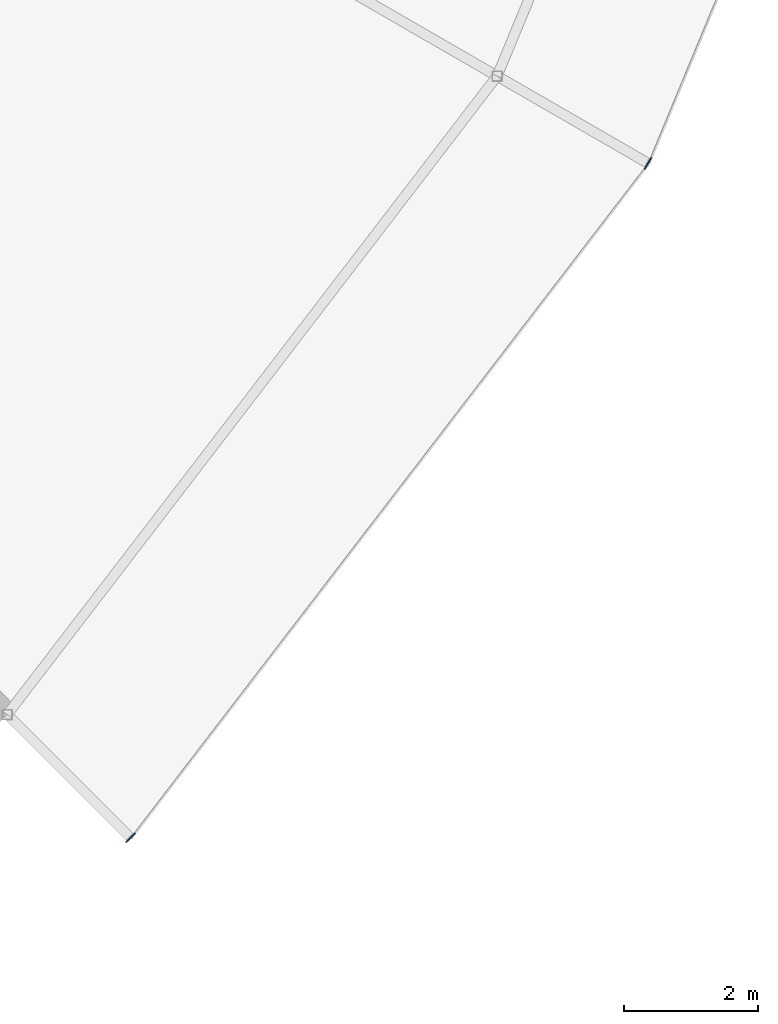
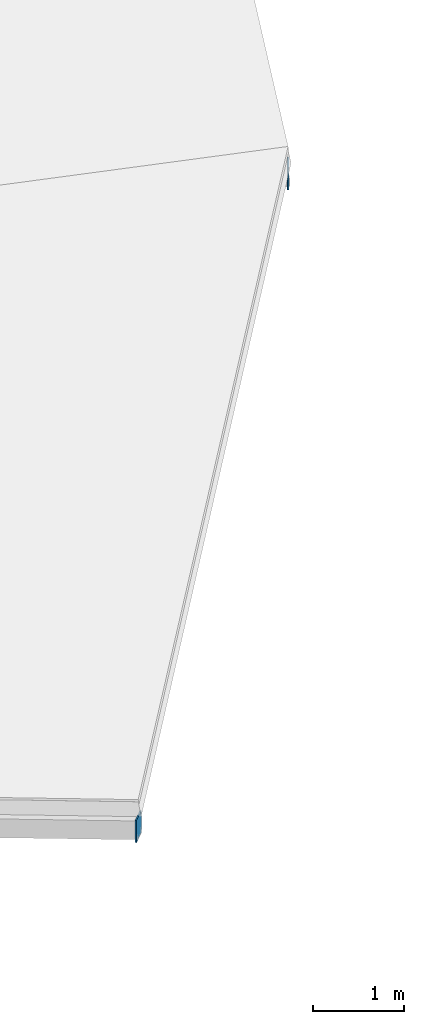
# One storey, part 171 of 200: 2 plates.
"""IFC4 building model written with IfcOpenShell, lengths in metres."""

from ifc_helpers import new_model, si_unit, direction, frame, origin, origin_2d, place, context, subcontext, project, spatial, rectangle, extrude, material, layer, layer_set, type_object, element, save


model = new_model("IFC4")

# Units and contexts
model_context = context("Model", 3, precision=1e-05, world=origin(), true_north=direction((0.0, 1.0)))
body_context = subcontext(model_context, "Body", "Model", "MODEL_VIEW")
ifc_project = project(units=[si_unit("LENGTHUNIT", "METRE"), si_unit("AREAUNIT", "SQUARE_METRE"), si_unit("VOLUMEUNIT", "CUBIC_METRE"), si_unit("PLANEANGLEUNIT", "RADIAN"), si_unit("MASSUNIT", "GRAM", prefix="KILO")], contexts=[model_context])

# Site, building, storey
site_placement = place(None, origin())
site = spatial("IfcSite", under=ifc_project, at=site_placement, CompositionType="ELEMENT")
building_placement = place(site_placement, origin())
building = spatial("IfcBuilding", under=site, at=building_placement, Name="Vondelvale Polytechnic", CompositionType="ELEMENT")
storey_placement = place(building_placement, frame((0.0, 0.0, 13.800048828125)))
storey = spatial("IfcBuildingStorey", under=building, at=storey_placement, Name="L03", CompositionType="ELEMENT", Elevation=13.800048828125)

# Plates
ifc_material = material(Name="Steel Grade 350 (fy = 340 MPa)", Category="steel")
ifc_layer = layer(ifc_material, 0.01611328125)
ifc_layer_set = layer_set([ifc_layer], Name="PLATE-CAP-300x200")
plate_type = type_object("IfcPlateType", Name="PLATE-CAP-300x200", PredefinedType="USERDEFINED", material=ifc_layer_set)
for number, where, z_axis, x_axis, name in (
    (1, (136.365478515625, 37.634521484375, 3.61572265625), (0.0, 0.0, 1.0), (-0.707106781187, 0.707106781187, 0.0), "Ring rafter hollow end cap plate 21O"),
    (2, (144.0888671875, 47.699951171875, 3.61572265625), (0.0, 0.0, 1.0), (-0.866025403784, 0.5, 0.0), "Ring rafter hollow end cap plate 22O"),
):
    element("IfcPlate", number, at=place(storey_placement, frame(where, z_axis=z_axis, x_axis=x_axis)), inside=storey, type_object=plate_type, Name=name, ObjectType="CAP_PLATE", PredefinedType="USERDEFINED", context=body_context, shape_type="SweptSolid", body=[
        extrude(rectangle(XDim=0.01611328125, YDim=0.199951171875, at=origin_2d()), origin(), (0.0, 0.0, 1.0), 0.300048828125),
    ])

save(model, "model.ifc")
